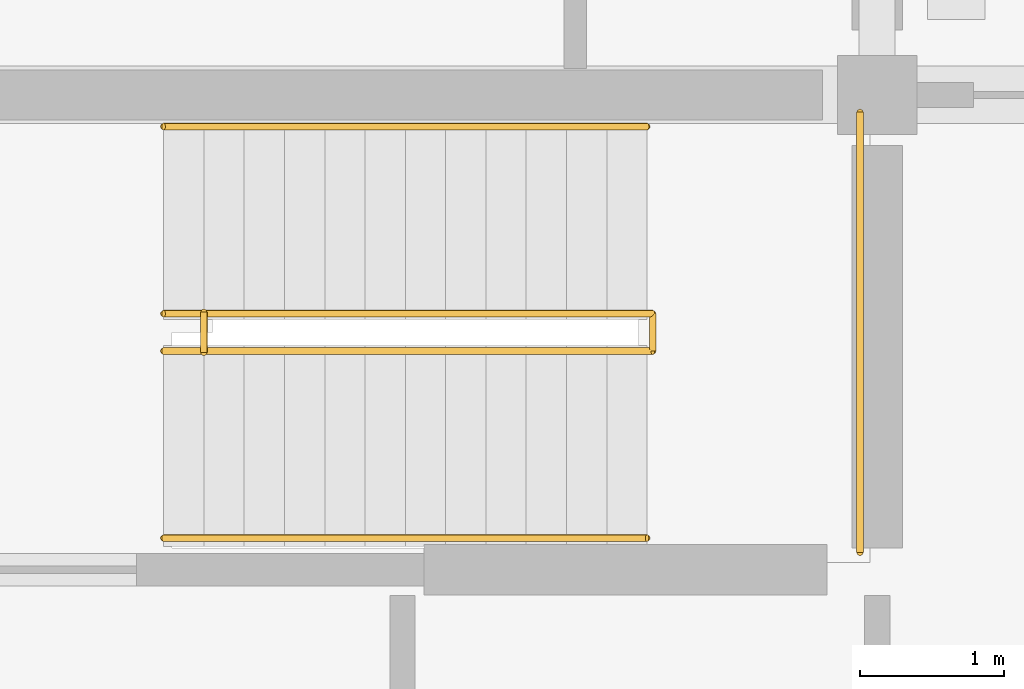
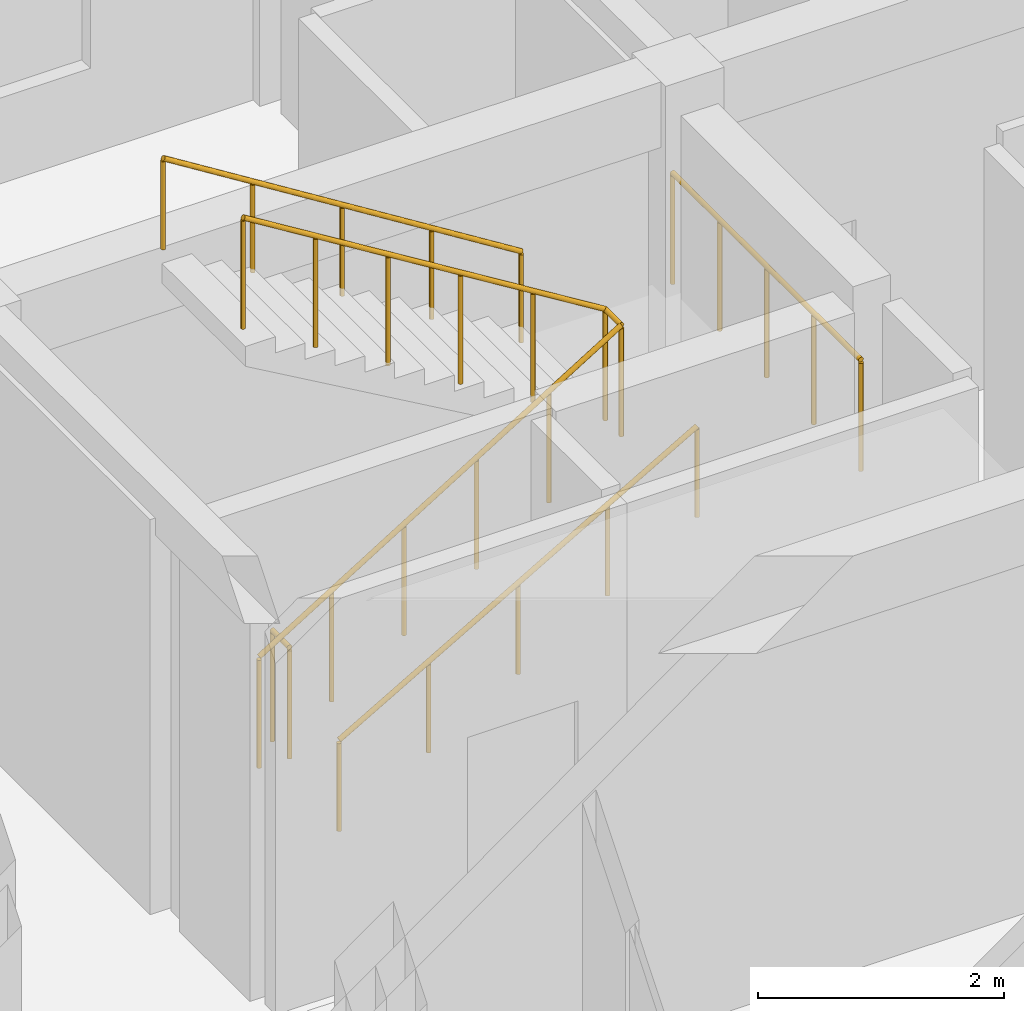
# One storey, part 73 of 75: 5 railings.
"""IFC4 building model written with IfcOpenShell, lengths in metres."""

from ifc_helpers import new_model, si_unit, direction, frame, origin, origin_2d, place, context, subcontext, project, spatial, circle, extrude, material, type_object, element, save


model = new_model("IFC4")

# Units and contexts
model_context = context("Model", 3, precision=1e-05, world=origin(), true_north=direction((0.0, 1.0)))
body_context = subcontext(model_context, "Body", "Model", "MODEL_VIEW")
ifc_project = project(units=[si_unit("LENGTHUNIT", "METRE"), si_unit("AREAUNIT", "SQUARE_METRE"), si_unit("VOLUMEUNIT", "CUBIC_METRE"), si_unit("PLANEANGLEUNIT", "RADIAN"), si_unit("MASSUNIT", "GRAM", prefix="KILO")], contexts=[model_context])

# Site, building, storey
site_placement = place(None, origin())
site = spatial("IfcSite", under=ifc_project, at=site_placement, CompositionType="ELEMENT")
building_placement = place(site_placement, origin())
building = spatial("IfcBuilding", under=site, at=building_placement, Name="Kernevlak Ridge Housing Community", CompositionType="ELEMENT")
storey_placement = place(building_placement, origin())
storey = spatial("IfcBuildingStorey", under=building, at=storey_placement, Name="L00", CompositionType="ELEMENT", Elevation=0.0)

# Railings
ifc_material_1 = material(Name="Steel S355", Category="steel")
railing_type_1 = type_object("IfcRailingType", Name="GR-02", PredefinedType="GUARDRAIL", material=ifc_material_1)
railing_1_placement = place(storey_placement, frame((134.52001953125, 94.010009765625, 0.0)))
element("IfcRailing", 1, at=railing_1_placement, inside=storey, type_object=railing_type_1, Name="Stair ST-B2 L00 well slot guard", PredefinedType="GUARDRAIL", context=body_context, shape_type="SweptSolid", body=[
    extrude(circle(Radius=0.02392578125, at=origin_2d()), frame((0.0, 0.0, 1.09619140625), z_axis=(0.0, 1.0, 0.0), x_axis=(-1.0, 0.0, 0.0)), (0.0, 0.0, 1.0), 0.280029296875),
    extrude(circle(Radius=0.02099609375, at=origin_2d()), origin(), (0.0, 0.0, 1.0), 1.072021484375),
    extrude(circle(Radius=0.02099609375, at=origin_2d()), frame((0.0, 0.280029296875, 0.0)), (0.0, 0.0, 1.0), 1.072021484375),
])
railing_2_placement = place(storey_placement, frame((134.239990234375, 94.02001953125, 0.0)))
element("IfcRailing", 2, at=railing_2_placement, inside=storey, type_object=railing_type_1, Name="Stair ST-B2 L00 inner well guardrail", PredefinedType="GUARDRAIL", context=body_context, shape_type="SweptSolid", body=[
    extrude(circle(Radius=0.02392578125, at=origin_2d()), frame((0.0, 0.0, 1.09619140625), z_axis=(0.850780323153, 0.0, 0.525521495028), x_axis=(0.0, 1.0, 0.0)), (0.0, 0.0, 1.0), 3.996337890625),
    extrude(circle(Radius=0.02392578125, at=origin_2d()), frame((3.39990234375, 0.0, 3.1962890625), z_axis=(0.0, 1.0, 0.0), x_axis=(-1.0, 0.0, 0.0)), (0.0, 0.0, 1.0), 0.260009765625),
    extrude(circle(Radius=0.02392578125, at=origin_2d()), frame((3.39990234375, 0.260009765625, 3.1962890625), z_axis=(-0.85080763774, 0.0, 0.525477272167), x_axis=(0.0, -1.0, 0.0)), (0.0, 0.0, 1.0), 3.99609375),
    extrude(circle(Radius=0.02099609375, at=origin_2d()), origin(), (0.0, 0.0, 1.0), 1.072021484375),
    extrude(circle(Radius=0.02099609375, at=origin_2d()), frame((0.679931640625, 0.0, 0.419921875)), (0.0, 0.0, 1.0), 1.072021484375),
    extrude(circle(Radius=0.02099609375, at=origin_2d()), frame((1.35986328125, 0.0, 0.840087890625)), (0.0, 0.0, 1.0), 1.072021484375),
    extrude(circle(Radius=0.02099609375, at=origin_2d()), frame((2.0400390625, 0.0, 1.260009765625)), (0.0, 0.0, 1.0), 1.072021484375),
    extrude(circle(Radius=0.02099609375, at=origin_2d()), frame((2.719970703125, 0.0, 1.68017578125)), (0.0, 0.0, 1.0), 1.072021484375),
    extrude(circle(Radius=0.02099609375, at=origin_2d()), frame((3.39990234375, 0.0, 2.10009765625)), (0.0, 0.0, 1.0), 1.072021484375),
    extrude(circle(Radius=0.02099609375, at=origin_2d()), frame((3.39990234375, 0.260009765625, 2.10009765625)), (0.0, 0.0, 1.0), 1.072021484375),
    extrude(circle(Radius=0.02099609375, at=origin_2d()), frame((2.719970703125, 0.260009765625, 2.52001953125)), (0.0, 0.0, 1.0), 1.072021484375),
    extrude(circle(Radius=0.02099609375, at=origin_2d()), frame((2.0400390625, 0.260009765625, 2.93994140625)), (0.0, 0.0, 1.0), 1.072021484375),
    extrude(circle(Radius=0.02099609375, at=origin_2d()), frame((1.35986328125, 0.260009765625, 3.360107421875)), (0.0, 0.0, 1.0), 1.072021484375),
    extrude(circle(Radius=0.02099609375, at=origin_2d()), frame((0.679931640625, 0.260009765625, 3.780029296875)), (0.0, 0.0, 1.0), 1.072021484375),
    extrude(circle(Radius=0.02099609375, at=origin_2d()), frame((0.0, 0.260009765625, 4.199951171875)), (0.0, 0.0, 1.0), 1.072021484375),
])
railing_3_placement = place(storey_placement, frame((139.080078125, 92.6201171875, 2.10009765625)))
element("IfcRailing", 3, at=railing_3_placement, inside=storey, type_object=railing_type_1, Name="Stair ST-B2 L00 half-landing guard", PredefinedType="GUARDRAIL", context=body_context, shape_type="SweptSolid", body=[
    extrude(circle(Radius=0.02392578125, at=origin_2d()), frame((0.0, 0.0, 1.09619140625), z_axis=(0.0, 1.0, 0.0), x_axis=(-1.0, 0.0, 0.0)), (0.0, 0.0, 1.0), 3.059814453125),
    extrude(circle(Radius=0.02099609375, at=origin_2d()), origin(), (0.0, 0.0, 1.0), 1.072021484375),
    extrude(circle(Radius=0.02099609375, at=origin_2d()), frame((0.0, 0.764892578125, 0.0)), (0.0, 0.0, 1.0), 1.072021484375),
    extrude(circle(Radius=0.02099609375, at=origin_2d()), frame((0.0, 1.52978515625, 0.0)), (0.0, 0.0, 1.0), 1.072021484375),
    extrude(circle(Radius=0.02099609375, at=origin_2d()), frame((0.0, 2.294921875, 0.0)), (0.0, 0.0, 1.0), 1.072021484375),
    extrude(circle(Radius=0.02099609375, at=origin_2d()), frame((0.0, 3.059814453125, 0.0)), (0.0, 0.0, 1.0), 1.072021484375),
])
ifc_material_2 = material(Name="Stainless steel EN 1.4401", Category="steel")
railing_type_2 = type_object("IfcRailingType", Name="HR-01", PredefinedType="HANDRAIL", material=ifc_material_2)
railing_4_placement = place(storey_placement, frame((134.239990234375, 92.719970703125, 0.16162109375)))
element("IfcRailing", 4, at=railing_4_placement, inside=storey, type_object=railing_type_2, Name="Stair ST-B2 L00 flight 1 handrail", PredefinedType="HANDRAIL", context=body_context, shape_type="SweptSolid", body=[
    extrude(circle(Radius=0.02392578125, at=origin_2d()), frame((0.0, 0.0, 0.89599609375), z_axis=(0.866190824863, 0.0, 0.499713372768), x_axis=(0.0, 1.0, 0.0)), (0.0, 0.0, 1.0), 3.879150390625),
    extrude(circle(Radius=0.02099609375, at=origin_2d()), origin(), (0.0, 0.0, 1.0), 0.871826171875),
    extrude(circle(Radius=0.02099609375, at=origin_2d()), frame((0.840087890625, 0.0, 0.484619140625)), (0.0, 0.0, 1.0), 0.871826171875),
    extrude(circle(Radius=0.02099609375, at=origin_2d()), frame((1.68017578125, 0.0, 0.96923828125)), (0.0, 0.0, 1.0), 0.871826171875),
    extrude(circle(Radius=0.02099609375, at=origin_2d()), frame((2.52001953125, 0.0, 1.453857421875)), (0.0, 0.0, 1.0), 0.871826171875),
    extrude(circle(Radius=0.02099609375, at=origin_2d()), frame((3.360107421875, 0.0, 1.9384765625)), (0.0, 0.0, 1.0), 0.871826171875),
])
railing_5_placement = place(storey_placement, frame((137.60009765625, 95.580078125, 2.10009765625)))
element("IfcRailing", 5, at=railing_5_placement, inside=storey, type_object=railing_type_2, Name="Stair ST-B2 L00 flight 2 handrail", PredefinedType="HANDRAIL", context=body_context, shape_type="SweptSolid", body=[
    extrude(circle(Radius=0.02392578125, at=origin_2d()), frame((0.0, 0.0, 0.89599609375), z_axis=(-0.848022534174, 0.0, 0.529960169762), x_axis=(0.0, -1.0, 0.0)), (0.0, 0.0, 1.0), 3.96240234375),
    extrude(circle(Radius=0.02099609375, at=origin_2d()), origin(), (0.0, 0.0, 1.0), 0.871826171875),
    extrude(circle(Radius=0.02099609375, at=origin_2d()), frame((-0.840087890625, 0.0, 0.52490234375)), (0.0, 0.0, 1.0), 0.871826171875),
    extrude(circle(Radius=0.02099609375, at=origin_2d()), frame((-1.68017578125, 0.0, 1.0498046875)), (0.0, 0.0, 1.0), 0.871826171875),
    extrude(circle(Radius=0.02099609375, at=origin_2d()), frame((-2.52001953125, 0.0, 1.574951171875)), (0.0, 0.0, 1.0), 0.871826171875),
    extrude(circle(Radius=0.02099609375, at=origin_2d()), frame((-3.360107421875, 0.0, 2.099853515625)), (0.0, 0.0, 1.0), 0.871826171875),
])

save(model, "model.ifc")
